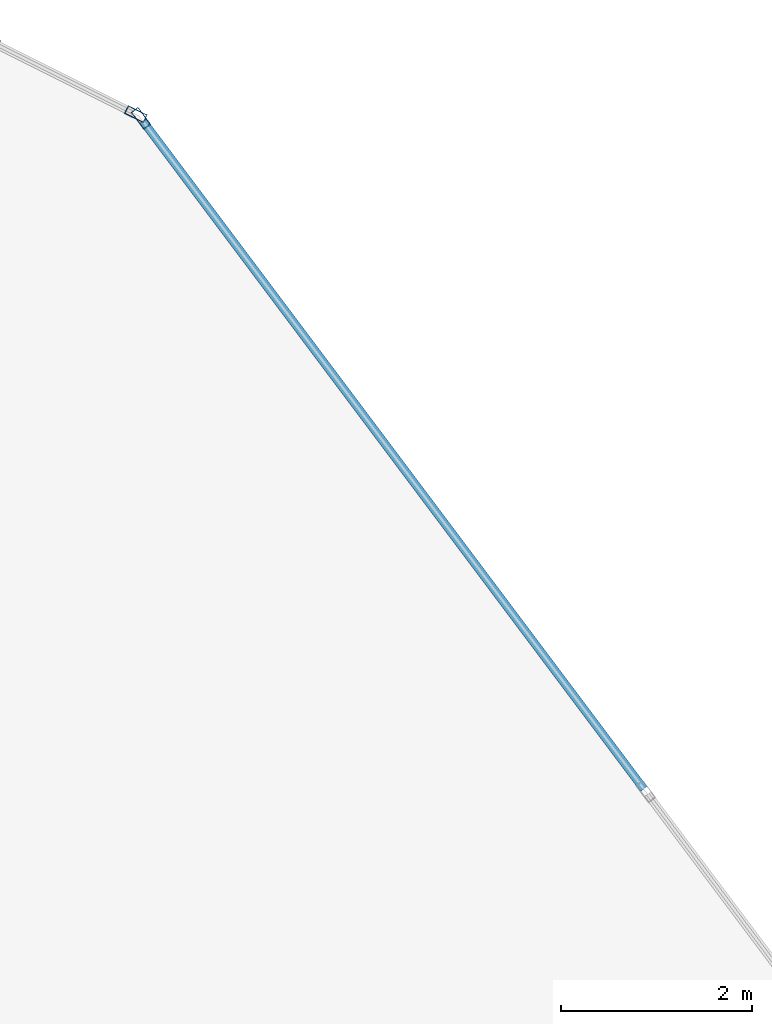
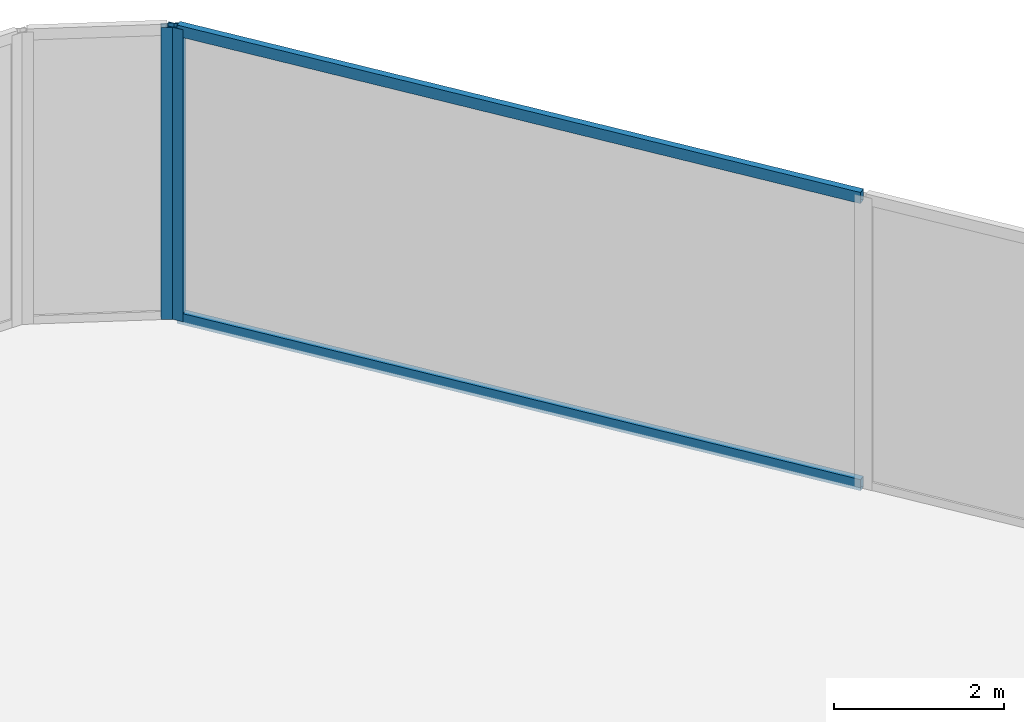
# One storey, part 18 of 30: 4 members, 2 elements without a shape of their own.
"""IFC4 building model written with IfcOpenShell, lengths in metres."""

from ifc_helpers import new_model, si_unit, direction, frame, origin, origin_2d, place, context, subcontext, project, spatial, hollow_rectangle, extrude, material, layer, layer_set, material_profile, profile_set, type_object, element, aggregate, save


model = new_model("IFC4")

# Units and contexts
model_context = context("Model", 3, precision=1e-05, world=origin(), true_north=direction((0.0, 1.0)))
body_context = subcontext(model_context, "Body", "Model", "MODEL_VIEW")
ifc_project = project(units=[si_unit("LENGTHUNIT", "METRE"), si_unit("AREAUNIT", "SQUARE_METRE"), si_unit("VOLUMEUNIT", "CUBIC_METRE"), si_unit("PLANEANGLEUNIT", "RADIAN"), si_unit("MASSUNIT", "GRAM", prefix="KILO")], contexts=[model_context])

# Site, building, storey
site_placement = place(None, origin())
site = spatial("IfcSite", under=ifc_project, at=site_placement, CompositionType="ELEMENT")
building_placement = place(site_placement, origin())
building = spatial("IfcBuilding", under=site, at=building_placement, Name="Keshet Zoharim Tower", CompositionType="ELEMENT")
storey_placement = place(building_placement, frame((0.0, 0.0, 65.60009765625)))
storey = spatial("IfcBuildingStorey", under=building, at=storey_placement, Name="L15", CompositionType="ELEMENT", Elevation=65.60009765625)

# Curtain wall, member
ifc_material = material(Name="Aluminium 6063-T6", Category="aluminium")
ifc_layer = layer(ifc_material, 0.169921875)
ifc_layer_set = layer_set([ifc_layer], Name="Aluminium 6063-T6")
curtain_wall_type = type_object("IfcCurtainWallType", Name="CW-SYS-02", PredefinedType="NOTDEFINED", material=ifc_layer_set)
curtain_wall_1_placement = place(storey_placement, origin())
curtain_wall_1 = element("IfcCurtainWall", 1, at=curtain_wall_1_placement, inside=storey, type_object=curtain_wall_type, Name="L15 Unitised Curtain Wall 05", PredefinedType="NOTDEFINED")
ifc_material_profile_1 = material_profile(ifc_material, hollow_rectangle(XDim=0.090087890625, YDim=0.219970703125, WallThickness=0.0048828125, at=origin_2d()), Name="MUL-90x220")
ifc_profile_set_1 = profile_set([ifc_material_profile_1], Name="Aluminium 6063-T6")
member_type_1 = type_object("IfcMemberType", Name="CWM-M22", PredefinedType="MULLION", material=ifc_profile_set_1)
member_1_placement = place(storey_placement, frame((51.568603515625, 53.11572265625, 0.0), z_axis=(0.0, 0.0, 1.0), x_axis=(0.447213595499, 0.894427191001, 0.0)))
member_1 = element("IfcMember", 2, at=member_1_placement, type_object=member_type_1, Name="CW-02 mullion 2", PredefinedType="MULLION", context=body_context, shape_type="SweptSolid", body=[
    extrude(hollow_rectangle(XDim=0.090087890625, YDim=0.219970703125, WallThickness=0.0048828125, at=origin_2d()), origin(), (0.0, 0.0, 1.0), 4.184814453125),
])
aggregate(curtain_wall_1, [member_1])

# Curtain wall, members
curtain_wall_2_placement = place(storey_placement, origin())
curtain_wall_2 = element("IfcCurtainWall", 3, at=curtain_wall_2_placement, inside=storey, type_object=curtain_wall_type, Name="L15 Unitised Curtain Wall 06", PredefinedType="NOTDEFINED")
member_2_placement = place(storey_placement, frame((51.62109375, 53.072021484375, 0.0), z_axis=(0.0, 0.0, 1.0), x_axis=(0.799999999998, 0.600000000002, 0.0)))
member_2 = element("IfcMember", 4, at=member_2_placement, type_object=member_type_1, Name="CW-02 mullion 1", PredefinedType="MULLION", context=body_context, shape_type="SweptSolid", body=[
    extrude(hollow_rectangle(XDim=0.090087890625, YDim=0.219970703125, WallThickness=0.0048828125, at=origin_2d()), origin(), (0.0, 0.0, 1.0), 4.184814453125),
])
ifc_material_profile_2 = material_profile(ifc_material, hollow_rectangle(XDim=0.0849609375, YDim=0.159912109375, WallThickness=0.00439453125, at=origin_2d()), Name="TRN-85x160")
ifc_profile_set_2 = profile_set([ifc_material_profile_2], Name="Aluminium 6063-T6")
member_type_2 = type_object("IfcMemberType", Name="CWT-T16", PredefinedType="USERDEFINED", material=ifc_profile_set_2)
member_3_placement = place(storey_placement, frame((51.64208984375, 53.0439453125, 0.034912109375), z_axis=(0.599991043201, -0.800006717521, 0.0), x_axis=(0.800006717521, 0.599991043201, 0.0)))
member_3 = element("IfcMember", 5, at=member_3_placement, type_object=member_type_2, Name="CW-02 transom 1.1", ObjectType="TRANSOM", PredefinedType="USERDEFINED", context=body_context, shape_type="SweptSolid", body=[
    extrude(hollow_rectangle(XDim=0.0849609375, YDim=0.159912109375, WallThickness=0.00439453125, at=origin_2d()), origin(), (0.0, 0.0, 1.0), 8.722412109375),
])
member_4_placement = place(storey_placement, frame((51.64208984375, 53.0439453125, 4.14990234375), z_axis=(0.599991043201, -0.800006717521, 0.0), x_axis=(0.800006717521, 0.599991043201, 0.0)))
member_4 = element("IfcMember", 6, at=member_4_placement, type_object=member_type_2, Name="CW-02 transom 1.2", ObjectType="TRANSOM", PredefinedType="USERDEFINED", context=body_context, shape_type="SweptSolid", body=[
    extrude(hollow_rectangle(XDim=0.0849609375, YDim=0.159912109375, WallThickness=0.00439453125, at=origin_2d()), origin(), (0.0, 0.0, 1.0), 8.722412109375),
])
aggregate(curtain_wall_2, [member_2, member_3, member_4])

save(model, "model.ifc")
